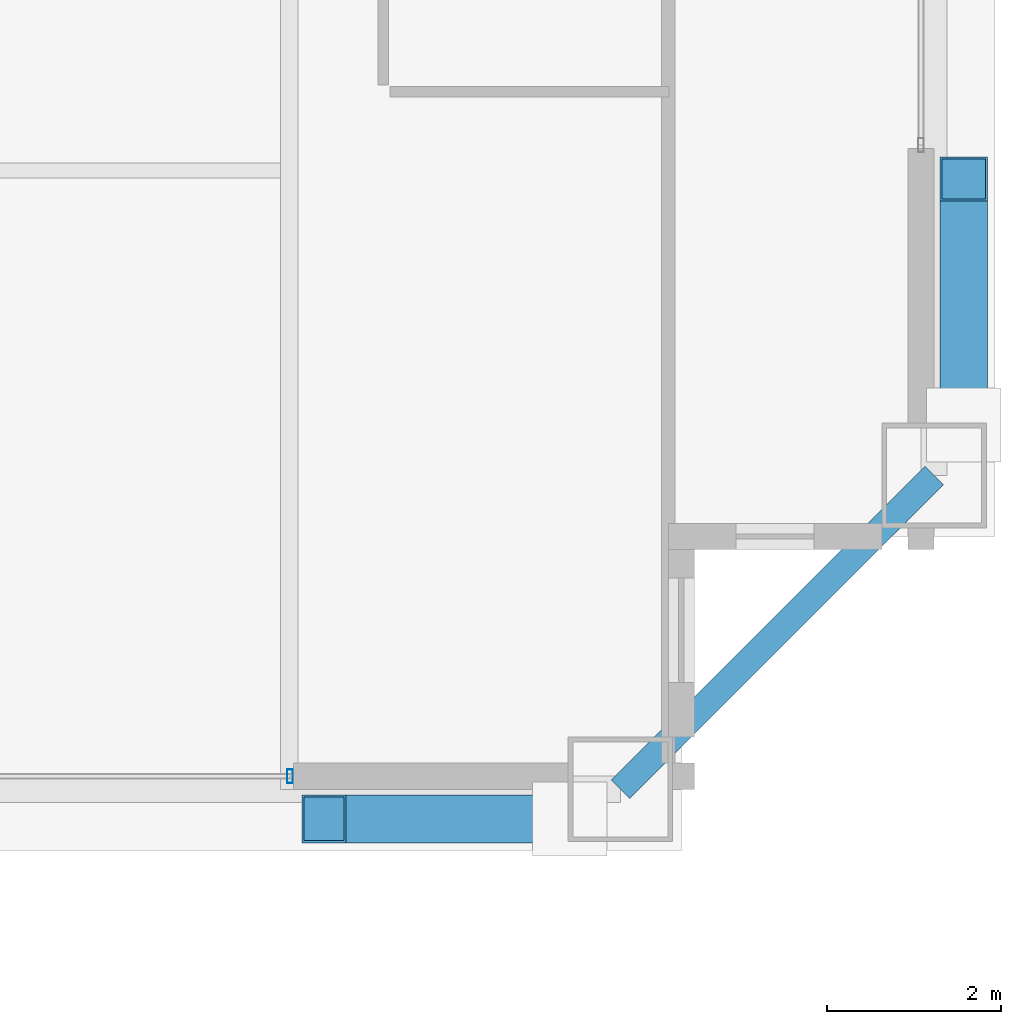
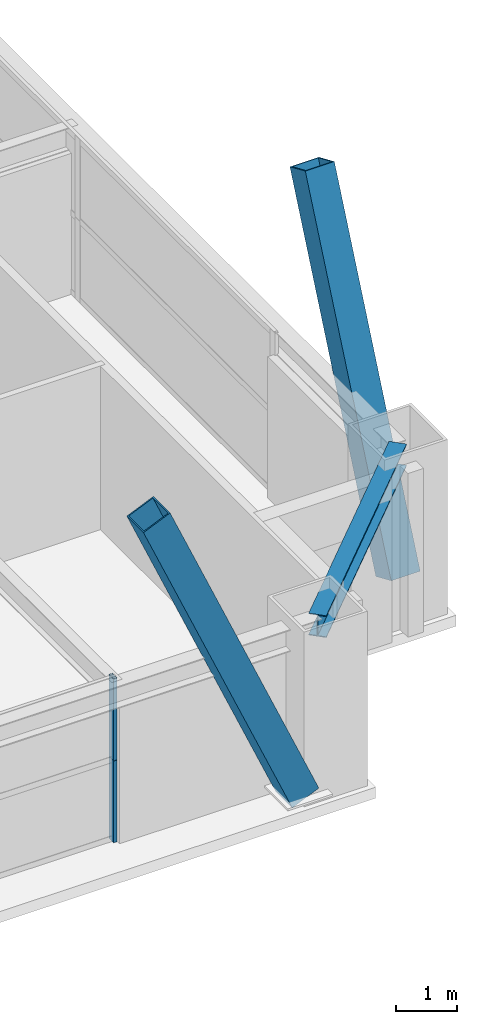
# One storey, part 14 of 35: 4 members, 1 beam, 1 element without a shape of its own.
"""IFC4 building model written with IfcOpenShell, lengths in metres."""

from ifc_helpers import new_model, si_unit, direction, frame, origin, origin_2d, place, context, subcontext, project, spatial, hollow_rectangle, i_section, extrude, source, transform, mapped, material, layer, layer_set, material_profile, profile_set, type_object, element, aggregate, save


model = new_model("IFC4")

# Units and contexts
model_context = context("Model", 3, precision=1e-05, world=origin(), true_north=direction((0.0, 1.0)))
body_context = subcontext(model_context, "Body", "Model", "MODEL_VIEW")
ifc_project = project(units=[si_unit("LENGTHUNIT", "METRE"), si_unit("AREAUNIT", "SQUARE_METRE"), si_unit("VOLUMEUNIT", "CUBIC_METRE"), si_unit("PLANEANGLEUNIT", "RADIAN"), si_unit("MASSUNIT", "GRAM", prefix="KILO"), si_unit("THERMODYNAMICTEMPERATUREUNIT", "KELVIN"), si_unit("POWERUNIT", "WATT")], contexts=[model_context])

# Site, building, storey
site_placement = place(None, origin())
site = spatial("IfcSite", under=ifc_project, at=site_placement, CompositionType="ELEMENT")
building_placement = place(site_placement, origin())
building = spatial("IfcBuilding", under=site, at=building_placement, Name="Yuzanri Waterfront Tower", CompositionType="ELEMENT")
storey_placement = place(building_placement, frame((0.0, 0.0, 271.60009765625)))
storey = spatial("IfcBuildingStorey", under=building, at=storey_placement, Name="L72", CompositionType="ELEMENT", Elevation=271.60009765625)

# Beam
ifc_material_1 = material(Name="Steel Q355B", Category="steel")
ifc_material_profile_1 = material_profile(ifc_material_1, i_section(OverallWidth=0.300048828125, OverallDepth=0.43994140625, WebThickness=0.010986328125, FlangeThickness=0.01806640625, at=origin_2d()), Name="HM 440x300x11x18")
ifc_profile_set_1 = profile_set([ifc_material_profile_1], Name="Steel Q355B")
beam_type = type_object("IfcBeamType", Name="Perimeter Spandrel Q355B HM 440x300", PredefinedType="SPANDREL", material=ifc_profile_set_1)
shared_shape_1 = source(origin(), body_context, "Body", "SweptSolid", [
    extrude(i_section(OverallWidth=0.300048828125, OverallDepth=0.43994140625, WebThickness=0.010986328125, FlangeThickness=0.01806640625, at=origin_2d()), origin(), (0.0, 0.0, 1.0), 5.09130859375),
])
beam_placement = place(storey_placement, frame((54.0, 5.199951171875, 3.059814453125), z_axis=(0.707106781187, 0.707106781187, 0.0), x_axis=(-0.707106781187, 0.707106781187, 0.0)))
element("IfcBeam", 1, at=beam_placement, inside=storey, type_object=beam_type, Name="L72 Perimeter Spandrel S3-E1", PredefinedType="SPANDREL", context=body_context, shape_type="MappedRepresentation", body=[
    mapped(shared_shape_1, transform((0.0, 0.0, 0.0), scale=1.0)),
])

# Members
ifc_material_2 = material(Name="Steel Q390GJC", Category="steel")
ifc_material_profile_2 = material_profile(ifc_material_2, hollow_rectangle(XDim=0.550048828125, YDim=0.550048828125, WallThickness=0.02490234375, at=origin_2d()), Name="RHS 550x550x25")
ifc_profile_set_2 = profile_set([ifc_material_profile_2], Name="Steel Q390GJC")
member_type_1 = type_object("IfcMemberType", Name="Mega Brace Mid Q390GJC RHS 550x550x25", PredefinedType="BRACE", material=ifc_profile_set_2)
shared_shape_2 = source(origin(), body_context, "Body", "SweptSolid", [
    extrude(hollow_rectangle(XDim=0.550048828125, YDim=0.550048828125, WallThickness=0.02490234375, at=origin_2d()), origin(), (0.0, 0.0, 1.0), 7.085205078125),
])
member_1_placement = place(storey_placement, frame((53.419921875, 4.860107421875, 0.179931640625), z_axis=(-0.397982599681, 0.0, 0.917392963975), x_axis=(0.0, -1.0, 0.0)))
element("IfcMember", 2, at=member_1_placement, inside=storey, type_object=member_type_1, Name="L72-L73 Perimeter Mega-Brace S-R", PredefinedType="BRACE", context=body_context, shape_type="MappedRepresentation", body=[
    mapped(shared_shape_2, transform((0.0, 0.0, 0.0), scale=1.0)),
])
shared_shape_3 = source(origin(), body_context, "Body", "SweptSolid", [
    extrude(hollow_rectangle(XDim=0.550048828125, YDim=0.550048828125, WallThickness=0.02490234375, at=origin_2d()), origin(), (0.0, 0.0, 1.0), 7.08544921875),
])
member_2_placement = place(storey_placement, frame((57.93994140625, 9.3798828125, 0.179931640625), z_axis=(0.0, 0.398011598745, 0.917380383082), x_axis=(-1.0, 0.0, 0.0)))
element("IfcMember", 3, at=member_2_placement, inside=storey, type_object=member_type_1, Name="L72-L73 Perimeter Mega-Brace E-L", PredefinedType="BRACE", context=body_context, shape_type="MappedRepresentation", body=[
    mapped(shared_shape_3, transform((0.0, 0.0, 0.0), scale=1.0)),
])

# Curtain wall, members
ifc_material_3 = material(Name="Anodized Architectural Bronze", Category="metal")
ifc_layer = layer(ifc_material_3, 0.159912109375)
ifc_layer_set = layer_set([ifc_layer], Name="Anodized Architectural Bronze")
curtain_wall_type = type_object("IfcCurtainWallType", Name="Anodized Bronze Mid-Rise Residential Acoustic Unitized Curtain Wall 7200", PredefinedType="NOTDEFINED", material=ifc_layer_set)
curtain_wall_placement = place(storey_placement, origin())
curtain_wall = element("IfcCurtainWall", 4, at=curtain_wall_placement, inside=storey, type_object=curtain_wall_type, Name="L72 Curtain Wall CW-L72-SR", PredefinedType="NOTDEFINED")
ifc_material_4 = material(Name="Anodized Architectural Bronze", Category="metal")
ifc_material_profile_3 = material_profile(ifc_material_4, hollow_rectangle(XDim=0.06494140625, YDim=0.159912109375, WallThickness=0.00341796875, at=origin_2d()), Name="CWM 65x160")
ifc_profile_set_3 = profile_set([ifc_material_profile_3], Name="Anodized Architectural Bronze")
member_type_2 = type_object("IfcMemberType", Name="Anodized Bronze Upper-Zone Curtain-Wall Mullion 65x160", PredefinedType="MULLION", material=ifc_profile_set_3)
shared_shape_4 = source(origin(), body_context, "Body", "SweptSolid", [
    extrude(hollow_rectangle(XDim=0.06494140625, YDim=0.159912109375, WallThickness=0.00341796875, at=origin_2d()), origin(), (0.0, 0.0, 1.0), 1.637939453125),
])
member_3_placement = place(storey_placement, frame((50.2099609375, 5.35009765625, 0.0), z_axis=(0.0, 0.0, 1.0), x_axis=(1.0, 0.0, 0.0)))
member_3 = element("IfcMember", 5, at=member_3_placement, type_object=member_type_2, Name="CW-L72-SR Lower Mullion 02", PredefinedType="MULLION", context=body_context, shape_type="MappedRepresentation", body=[
    mapped(shared_shape_4, transform((0.0, 0.0, 0.0), scale=1.0)),
])
member_4_placement = place(storey_placement, frame((50.2099609375, 5.35009765625, 1.641845703125), z_axis=(0.0, 0.0, 1.0), x_axis=(1.0, 0.0, 0.0)))
member_4 = element("IfcMember", 6, at=member_4_placement, type_object=member_type_2, Name="CW-L72-SR Upper Mullion 02", PredefinedType="MULLION", context=body_context, shape_type="MappedRepresentation", body=[
    mapped(shared_shape_4, transform((0.0, 0.0, 0.0), scale=1.0)),
])
aggregate(curtain_wall, [member_3, member_4])

save(model, "model.ifc")
